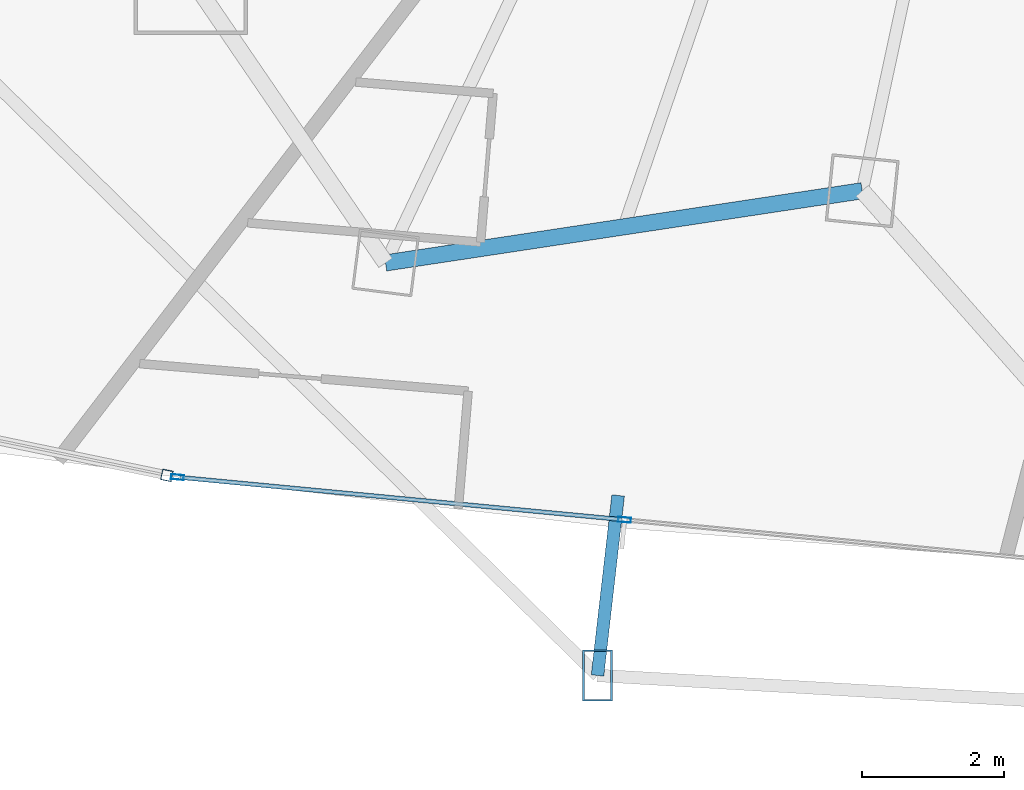
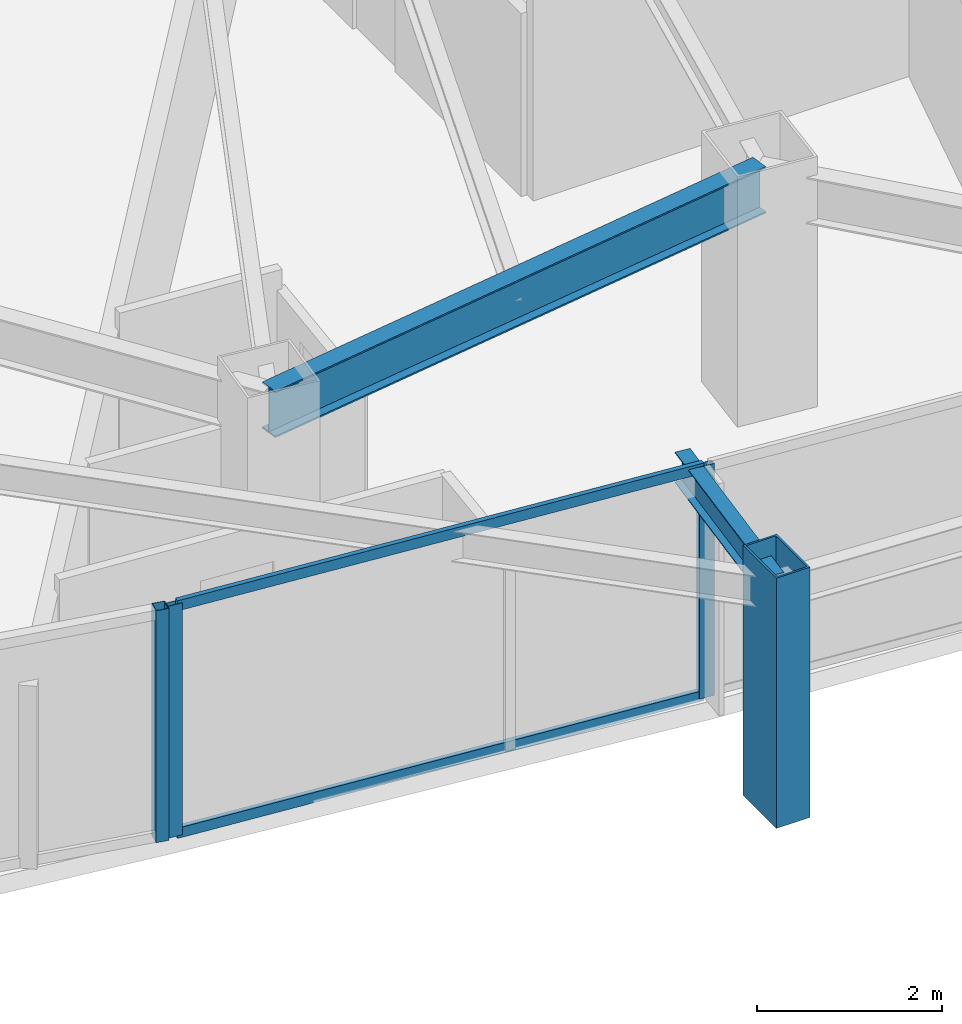
# One storey, part 4 of 34: 6 members, 2 beams, 2 elements without a shape of their own.
"""IFC4 building model written with IfcOpenShell, lengths in metres."""

from ifc_helpers import new_model, si_unit, direction, frame, origin, origin_2d, place, context, subcontext, project, spatial, hollow_rectangle, i_section, extrude, material, layer, layer_set, material_profile, profile_set, type_object, element, aggregate, save


model = new_model("IFC4")

# Units and contexts
model_context = context("Model", 3, precision=1e-05, world=origin(), true_north=direction((0.0, 1.0)))
body_context = subcontext(model_context, "Body", "Model", "MODEL_VIEW")
ifc_project = project(units=[si_unit("LENGTHUNIT", "METRE"), si_unit("AREAUNIT", "SQUARE_METRE"), si_unit("VOLUMEUNIT", "CUBIC_METRE"), si_unit("PLANEANGLEUNIT", "RADIAN"), si_unit("MASSUNIT", "GRAM", prefix="KILO")], contexts=[model_context])

# Site, building, storey
site_placement = place(None, origin())
site = spatial("IfcSite", under=ifc_project, at=site_placement, CompositionType="ELEMENT")
building_placement = place(site_placement, origin())
building = spatial("IfcBuilding", under=site, at=building_placement, Name="Orvanel Arch Residences", CompositionType="ELEMENT")
storey_placement = place(building_placement, frame((0.0, 0.0, 77.449951171875)))
storey = spatial("IfcBuildingStorey", under=building, at=storey_placement, Name="L21", CompositionType="ELEMENT", Elevation=77.449951171875)

# Member
ifc_material_1 = material(Name="Structural steel AS/NZS 3678 Grade 350", Category="steel")
ifc_material_profile_1 = material_profile(ifc_material_1, hollow_rectangle(XDim=0.419921875, YDim=0.719970703125, WallThickness=0.02490234375, at=origin_2d()), Name="RHS720x420x25")
ifc_profile_set_1 = profile_set([ifc_material_profile_1], Name="Structural steel AS/NZS 3678 Grade 350")
member_type_1 = type_object("IfcMemberType", Name="CH-720RHS-EXT", PredefinedType="CHORD", material=ifc_profile_set_1)
member_1_placement = place(storey_placement, frame((19.924072265625, 0.533935546875, 0.0), z_axis=(0.0, 0.0, 1.0), x_axis=(1.0, 0.0, 0.0)))
element("IfcMember", 1, at=member_1_placement, inside=storey, type_object=member_type_1, Name="L21 Outer Perimeter Frame Post 05", PredefinedType="CHORD", context=body_context, shape_type="SweptSolid", body=[
    extrude(hollow_rectangle(XDim=0.419921875, YDim=0.719970703125, WallThickness=0.02490234375, at=origin_2d()), origin(), (0.0, 0.0, 1.0), 3.300048828125),
])

# Curtain wall, member
ifc_material_2 = material(Name="Bronze-anodised aluminium AA6063-T6", Category="aluminium")
ifc_layer_1 = layer(ifc_material_2, 0.18994140625)
ifc_layer_set_1 = layer_set([ifc_layer_1], Name="Bronze-anodised aluminium AA6063-T6")
curtain_wall_type_1 = type_object("IfcCurtainWallType", Name="CW5-CRN-SYS", PredefinedType="NOTDEFINED", material=ifc_layer_set_1)
curtain_wall_1_placement = place(storey_placement, origin())
curtain_wall_1 = element("IfcCurtainWall", 2, at=curtain_wall_1_placement, inside=storey, type_object=curtain_wall_type_1, Name="L21 CW5-CRN-SYS Unitised Curtain Wall", PredefinedType="NOTDEFINED")
ifc_material_profile_2 = material_profile(ifc_material_2, hollow_rectangle(XDim=0.14990234375, YDim=0.14990234375, WallThickness=0.0048828125, at=origin_2d()), Name="ALU150x150x5")
ifc_profile_set_2 = profile_set([ifc_material_profile_2], Name="Bronze-anodised aluminium AA6063-T6")
member_type_2 = type_object("IfcMemberType", Name="MUL-150x150", PredefinedType="MULLION", material=ifc_profile_set_2)
member_2_placement = place(storey_placement, frame((13.863525390625, 3.349365234375, 0.0), z_axis=(0.0, 0.0, 1.0), x_axis=(0.203284384132, 0.97911973689, 0.0)))
member_2 = element("IfcMember", 3, at=member_2_placement, type_object=member_type_2, Name="CW-S5 mullion 3", PredefinedType="MULLION", context=body_context, shape_type="SweptSolid", body=[
    extrude(hollow_rectangle(XDim=0.14990234375, YDim=0.14990234375, WallThickness=0.0048828125, at=origin_2d()), origin(), (0.0, 0.0, 1.0), 3.06005859375),
])
aggregate(curtain_wall_1, [member_2])

# Curtain wall, members
ifc_layer_2 = layer(ifc_material_2, 0.179931640625)
ifc_layer_set_2 = layer_set([ifc_layer_2], Name="Bronze-anodised aluminium AA6063-T6")
curtain_wall_type_2 = type_object("IfcCurtainWallType", Name="CW2-LOW-SYS", PredefinedType="NOTDEFINED", material=ifc_layer_set_2)
curtain_wall_2_placement = place(storey_placement, origin())
curtain_wall_2 = element("IfcCurtainWall", 4, at=curtain_wall_2_placement, inside=storey, type_object=curtain_wall_type_2, Name="L21 CW2-LOW-SYS Unitised Curtain Wall", PredefinedType="NOTDEFINED")
ifc_material_profile_3 = material_profile(ifc_material_2, hollow_rectangle(XDim=0.070068359375, YDim=0.179931640625, WallThickness=0.00439453125, at=origin_2d()), Name="ALU180x70x4.5")
ifc_profile_set_3 = profile_set([ifc_material_profile_3], Name="Bronze-anodised aluminium AA6063-T6")
member_type_3 = type_object("IfcMemberType", Name="MUL-180x70", PredefinedType="MULLION", material=ifc_profile_set_3)
member_3_placement = place(storey_placement, frame((14.011962890625, 3.32470703125, 0.0), z_axis=(0.0, 0.0, 1.0), x_axis=(0.095024396079, 0.995474944009, 0.0)))
member_3 = element("IfcMember", 5, at=member_3_placement, type_object=member_type_3, Name="CW-S2 mullion 1", PredefinedType="MULLION", context=body_context, shape_type="SweptSolid", body=[
    extrude(hollow_rectangle(XDim=0.070068359375, YDim=0.179931640625, WallThickness=0.00439453125, at=origin_2d()), origin(), (0.0, 0.0, 1.0), 3.06005859375),
])
member_4_placement = place(storey_placement, frame((20.304443359375, 2.72412109375, 0.0), z_axis=(0.0, 0.0, 1.0), x_axis=(0.095024396079, 0.995474944009, 0.0)))
member_4 = element("IfcMember", 6, at=member_4_placement, type_object=member_type_3, Name="CW-S2 mullion 2", PredefinedType="MULLION", context=body_context, shape_type="SweptSolid", body=[
    extrude(hollow_rectangle(XDim=0.070068359375, YDim=0.179931640625, WallThickness=0.00439453125, at=origin_2d()), origin(), (0.0, 0.0, 1.0), 3.06005859375),
])

# Beams
ifc_material_3 = material(Name="Structural steel AS/NZS 3679.1 Grade 300 (300 MPa)", Category="steel")
ifc_material_profile_4 = material_profile(ifc_material_3, i_section(OverallWidth=0.177978515625, OverallDepth=0.406005859375, WebThickness=0.0078125, FlangeThickness=0.0126953125, at=origin_2d()), Name="410UB59.7")
ifc_profile_set_4 = profile_set([ifc_material_profile_4], Name="Structural steel AS/NZS 3679.1 Grade 300 (300 MPa)")
beam_type_1 = type_object("IfcBeamType", Name="OB-410UB-EXT", PredefinedType="SPANDREL", material=ifc_profile_set_4)
beam_1_placement = place(storey_placement, frame((20.214111328125, 3.06689453125, 2.85693359375), z_axis=(-0.113762646049, -0.99350795687, 0.0), x_axis=(0.99350795687, -0.113762646049, 0.0)))
element("IfcBeam", 7, at=beam_1_placement, inside=storey, type_object=beam_type_1, Name="L21 Outer Frame Radial Tie Beam 05", PredefinedType="SPANDREL", context=body_context, shape_type="SweptSolid", body=[
    extrude(i_section(OverallWidth=0.177978515625, OverallDepth=0.406005859375, WebThickness=0.0078125, FlangeThickness=0.0126953125, at=origin_2d()), origin(), (0.0, 0.0, 1.0), 2.549560546875),
])
ifc_material_profile_5 = material_profile(ifc_material_3, i_section(OverallWidth=0.22900390625, OverallDepth=0.612060546875, WebThickness=0.011962890625, FlangeThickness=0.01953125, at=origin_2d()), Name="610UB125")
ifc_profile_set_5 = profile_set([ifc_material_profile_5], Name="Structural steel AS/NZS 3679.1 Grade 300 (300 MPa)")
beam_type_2 = type_object("IfcBeamType", Name="SP-610UB", PredefinedType="SPANDREL", material=ifc_profile_set_5)
beam_2_placement = place(storey_placement, frame((16.94091796875, 6.339111328125, 2.754150390625), z_axis=(0.988726323014, 0.149733958002, 0.0), x_axis=(-0.149733958002, 0.988726323014, 0.0)))
element("IfcBeam", 8, at=beam_2_placement, inside=storey, type_object=beam_type_2, Name="L21 Perimeter Spandrel Beam 04", PredefinedType="SPANDREL", context=body_context, shape_type="SweptSolid", body=[
    extrude(i_section(OverallWidth=0.22900390625, OverallDepth=0.612060546875, WebThickness=0.011962890625, FlangeThickness=0.01953125, at=origin_2d()), origin(), (0.0, 0.0, 1.0), 6.784423828125),
])

# Member
ifc_material_profile_6 = material_profile(ifc_material_2, hollow_rectangle(XDim=0.06005859375, YDim=0.135009765625, WallThickness=0.00390625, at=origin_2d()), Name="ALU135x60x4")
ifc_profile_set_6 = profile_set([ifc_material_profile_6], Name="Bronze-anodised aluminium AA6063-T6")
member_type_4 = type_object("IfcMemberType", Name="TRN-135x60", PredefinedType="USERDEFINED", material=ifc_profile_set_6)
member_5_placement = place(storey_placement, frame((14.046630859375, 3.3212890625, 0.030029296875), z_axis=(0.99547561686, -0.095017347031, 0.0), x_axis=(0.095017347031, 0.99547561686, 0.0)))
member_5 = element("IfcMember", 9, at=member_5_placement, type_object=member_type_4, Name="CW-S2 transom 1.1", ObjectType="TRANSOM", PredefinedType="USERDEFINED", context=body_context, shape_type="SweptSolid", body=[
    extrude(hollow_rectangle(XDim=0.06005859375, YDim=0.135009765625, WallThickness=0.00390625, at=origin_2d()), origin(), (0.0, 0.0, 1.0), 6.25146484375),
])

member_6_placement = place(storey_placement, frame((14.046630859375, 3.3212890625, 3.030029296875), z_axis=(0.99547561686, -0.095017347031, 0.0), x_axis=(0.095017347031, 0.99547561686, 0.0)))
member_6 = element("IfcMember", 10, at=member_6_placement, type_object=member_type_4, Name="CW-S2 transom 1.2", ObjectType="TRANSOM", PredefinedType="USERDEFINED", context=body_context, shape_type="SweptSolid", body=[
    extrude(hollow_rectangle(XDim=0.06005859375, YDim=0.135009765625, WallThickness=0.00390625, at=origin_2d()), origin(), (0.0, 0.0, 1.0), 6.25146484375),
])

aggregate(curtain_wall_2, [member_3, member_4, member_5, member_6])

save(model, "model.ifc")
